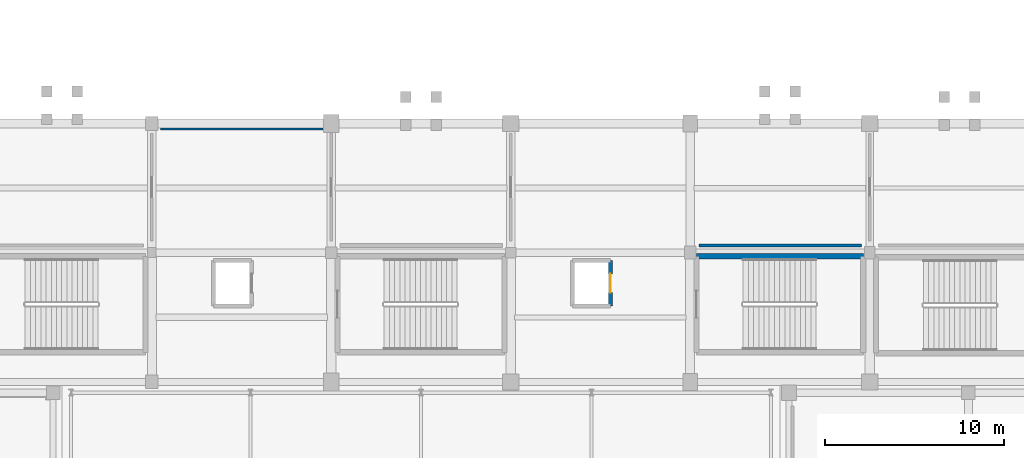
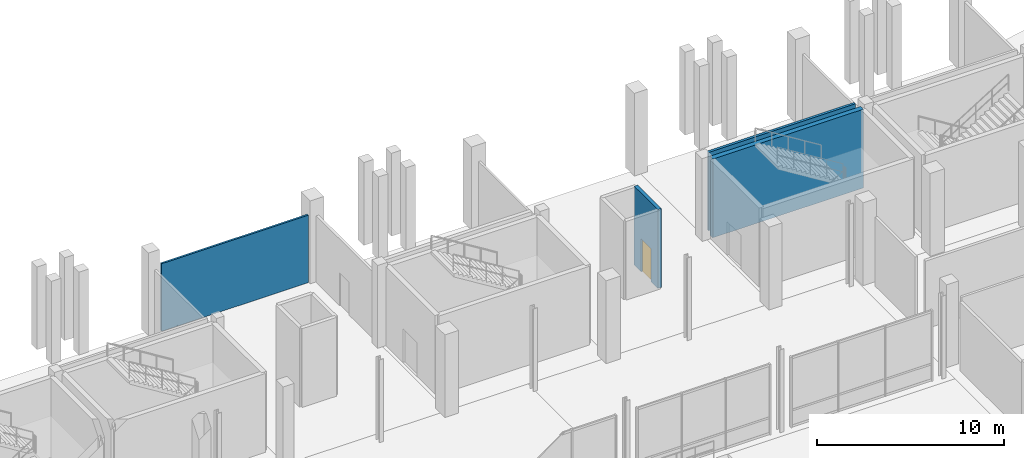
# One storey, part 73 of 114: 4 walls, 1 door, 1 opening.
"""IFC4 building model written with IfcOpenShell, lengths in metres."""

from ifc_helpers import new_model, si_unit, direction, frame, frame_2d, origin, place, context, subcontext, project, spatial, rectangle, extrude, material, layer, layer_set, type_object, element, fill, save


model = new_model("IFC4")

# Units and contexts
model_context = context("Model", 3, precision=1e-05, world=origin(), true_north=direction((0.0, 1.0)))
body_context = subcontext(model_context, "Body", "Model", "MODEL_VIEW")
ifc_project = project(units=[si_unit("LENGTHUNIT", "METRE"), si_unit("AREAUNIT", "SQUARE_METRE"), si_unit("VOLUMEUNIT", "CUBIC_METRE"), si_unit("PLANEANGLEUNIT", "RADIAN"), si_unit("MASSUNIT", "GRAM", prefix="KILO")], contexts=[model_context])

# Site, building, storey
site_placement = place(None, origin())
site = spatial("IfcSite", under=ifc_project, at=site_placement, CompositionType="ELEMENT")
building_placement = place(site_placement, origin())
building = spatial("IfcBuilding", under=site, at=building_placement, Name="Candeia Ridge Stadium", CompositionType="ELEMENT")
storey_placement = place(building_placement, frame((0.0, 0.0, 5.39990234375)))
storey = spatial("IfcBuildingStorey", under=building, at=storey_placement, Name="L01", CompositionType="ELEMENT", Elevation=5.39990234375)

# Walls
ifc_material_1 = material(Name="Gypsum Acoustic Twin-Stud Assembly", Category="gypsum")
ifc_layer_1 = layer(ifc_material_1, 0.159912109375, Name="Gypsum Acoustic Twin-Stud Assembly", Category="gypsum")
ifc_layer_set_1 = layer_set([ifc_layer_1], Name="Gypsum Acoustic Twin-Stud Assembly")
wall_type_1 = type_object("IfcWallType", Name="Club Dining Acoustic Partition 160", PredefinedType="PARTITIONING", material=ifc_layer_set_1)
wall_1_placement = place(storey_placement, frame((130.550048828125, 26.60009765625, 0.0), z_axis=(0.0, 0.0, 1.0), x_axis=(-1.0, 0.0, 0.0)))
element("IfcWall", 1, at=wall_1_placement, inside=storey, type_object=wall_type_1, Name="Demising partition PT-L01-0313", PredefinedType="PARTITIONING", context=body_context, shape_type="SweptSolid", body=[
    extrude(rectangle(XDim=9.06005859375, YDim=0.159912109375, at=frame_2d((4.530029296875, 0.0))), origin(), (0.0, 0.0, 1.0), 5.1201171875),
])
ifc_material_2 = material(Name="Concrete C45/55", Category="concrete")
ifc_layer_2 = layer(ifc_material_2, 0.300048828125, Name="Concrete C45/55", Category="concrete")
ifc_layer_set_2 = layer_set([ifc_layer_2], Name="Concrete C45/55")
wall_type_2 = type_object("IfcWallType", Name="Core Shear Wall Concrete 300", PredefinedType="SHEAR", material=ifc_layer_set_2)
wall_2_placement = place(storey_placement, frame((130.649658203125, 25.99951171875, 0.0), z_axis=(0.0, 0.0, 1.0), x_axis=(-1.0, 0.0, 0.0)))
element("IfcWall", 2, at=wall_2_placement, inside=storey, type_object=wall_type_2, Name="Core C12 right shear wall L01", PredefinedType="SHEAR", context=body_context, shape_type="SweptSolid", body=[
    extrude(rectangle(XDim=9.29931640625, YDim=0.300048828125, at=frame_2d((4.649658203125, 0.0))), origin(), (0.0, 0.0, 1.0), 5.14013671875),
])

# Wall, opening, door
ifc_material_3 = material(Name="Concrete C40/50", Category="concrete")
ifc_layer_3 = layer(ifc_material_3, 0.219970703125, Name="Concrete C40/50", Category="concrete")
ifc_layer_set_3 = layer_set([ifc_layer_3], Name="Concrete C40/50")
wall_type_3 = type_object("IfcWallType", Name="Lift & Riser Shaft Wall 220", PredefinedType="SHEAR", material=ifc_layer_set_3)
wall_3_placement = place(storey_placement, frame((116.56005859375, 23.239990234375, 0.0), z_axis=(0.0, 0.0, 1.0), x_axis=(0.0, 1.0, 0.0)))
wall_3 = element("IfcWall", 3, at=wall_3_placement, inside=storey, type_object=wall_type_3, Name="Lift PL4 shaft wall L01 east", PredefinedType="SHEAR", context=body_context, shape_type="SweptSolid", body=[
    extrude(rectangle(XDim=2.52001953125, YDim=0.219970703125, at=frame_2d((1.260009765625, 0.0))), origin(), (0.0, 0.0, 1.0), 5.14013671875),
])
opening_placement = place(wall_3_placement, frame((0.735107421875, 0.0, 0.0)))
opening = element("IfcOpeningElement", 4, at=opening_placement, cuts=wall_3, Name="Opening LD02", PredefinedType="OPENING", context=body_context, shape_type="SweptSolid", body=[
    extrude(rectangle(XDim=1.050048828125, YDim=2.14990234375, at=frame_2d((0.52490234375, 1.074951171875))), frame((0.0, 0.119873046875, 0.0), z_axis=(0.0, -1.0, 0.0), x_axis=(1.0, 0.0, 0.0)), (0.0, 0.0, 1.0), 0.239990234375),
])
ifc_material_4 = material(Name="Brushed Stainless Steel", Category="steel")
door_type = type_object("IfcDoorType", Name="Passenger Lift Landing Door 1050x2150", OperationType="NOTDEFINED", PredefinedType="DOOR", material=ifc_material_4)
door_placement = place(opening_placement, origin())
door = element("IfcDoor", 5, at=door_placement, inside=storey, type_object=door_type, Name="Lift landing sliding door LD-PL4-L01", OperationType="DOUBLE_DOOR_SLIDING", OverallHeight=2.14990234375, OverallWidth=1.050048828125, PredefinedType="DOOR", context=body_context, shape_type="SweptSolid", body=[
    extrude(rectangle(XDim=1.050048828125, YDim=2.14990234375, at=frame_2d((0.52490234375, 1.074951171875))), frame((0.0, 0.02490234375, 0.0), z_axis=(0.0, -1.0, 0.0), x_axis=(1.0, 0.0, 0.0)), (0.0, 0.0, 1.0), 0.050048828125),
])
fill(opening, door)

# Wall
ifc_material_5 = material(Name="Gypsum Metal-Stud Partition", Category="gypsum")
ifc_layer_4 = layer(ifc_material_5, 0.1201171875, Name="Gypsum Metal-Stud Partition", Category="gypsum")
ifc_layer_set_4 = layer_set([ifc_layer_4], Name="Gypsum Metal-Stud Partition")
wall_type_4 = type_object("IfcWallType", Name="Suite Internal Divider 120", PredefinedType="PARTITIONING", material=ifc_layer_set_4)
wall_4_placement = place(storey_placement, frame((91.489990234375, 33.10009765625, 0.0), z_axis=(0.0, 0.0, 1.0), x_axis=(1.0, 0.0, 0.0)))
element("IfcWall", 6, at=wall_4_placement, inside=storey, type_object=wall_type_4, Name="Demising partition PT-L01-0309", PredefinedType="PARTITIONING", context=body_context, shape_type="SweptSolid", body=[
    extrude(rectangle(XDim=9.06005859375, YDim=0.1201171875, at=frame_2d((4.530029296875, 0.0))), origin(), (0.0, 0.0, 1.0), 4.405029296875),
])

save(model, "model.ifc")
